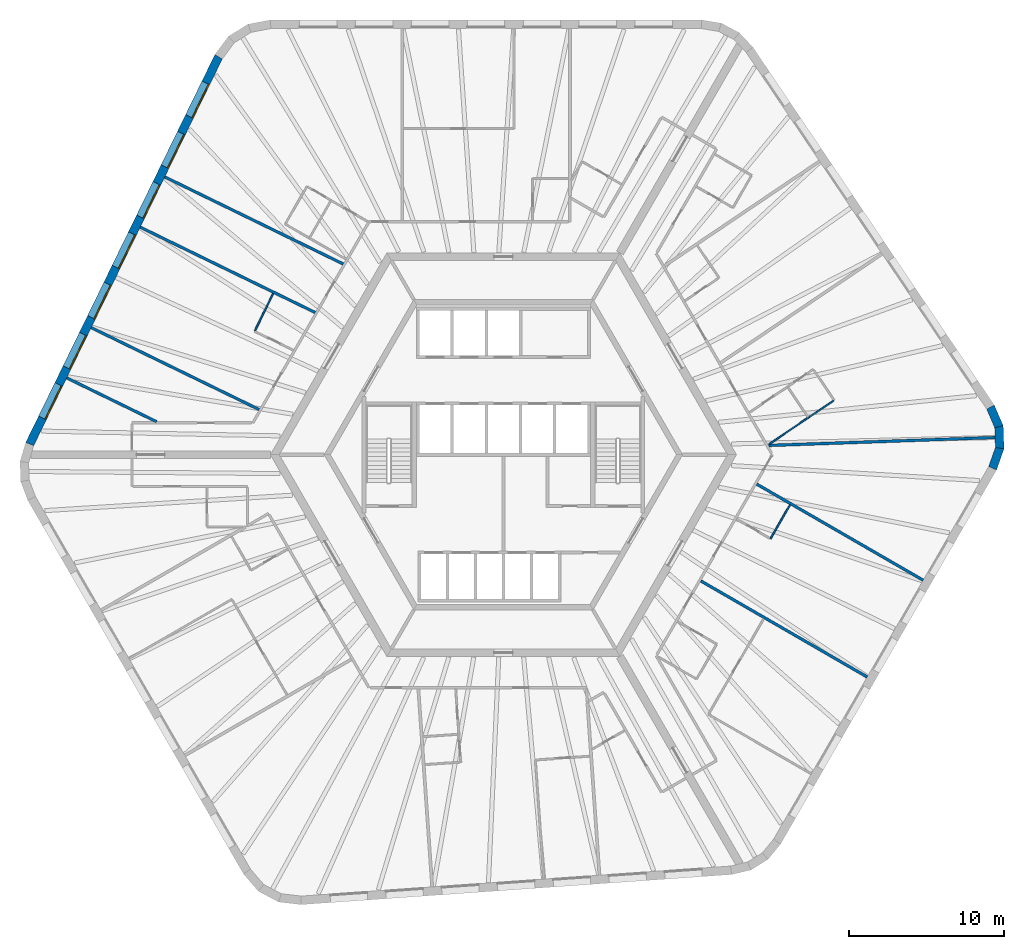
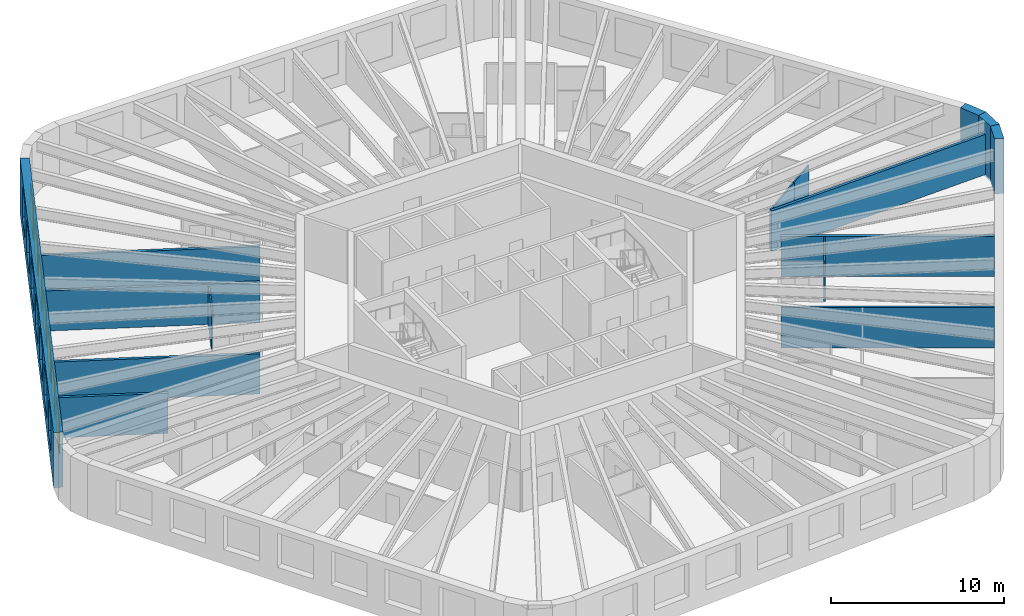
# One storey, part 6 of 10: 15 walls, 7 windows, 7 openings.
"""IFC4 building model written with IfcOpenShell, lengths in metres."""

from ifc_helpers import new_model, si_unit, direction, frame, frame_2d, origin, place, context, subcontext, project, spatial, polyline, rectangle, outline, extrude, material, layer, layer_set, type_object, element, fill, save


model = new_model("IFC4")

# Units and contexts
model_context = context("Model", 3, precision=1e-05, world=origin(), true_north=direction((0.0, 1.0)))
body_context = subcontext(model_context, "Body", "Model", "MODEL_VIEW")
ifc_project = project(units=[si_unit("LENGTHUNIT", "METRE"), si_unit("AREAUNIT", "SQUARE_METRE"), si_unit("VOLUMEUNIT", "CUBIC_METRE"), si_unit("PLANEANGLEUNIT", "RADIAN"), si_unit("MASSUNIT", "GRAM", prefix="KILO")], contexts=[model_context])

# Site, building, storey
site_placement = place(None, origin())
site = spatial("IfcSite", under=ifc_project, at=site_placement, CompositionType="ELEMENT")
building_placement = place(site_placement, origin())
building = spatial("IfcBuilding", under=site, at=building_placement, Name="Tarnside Tower", CompositionType="ELEMENT")
storey_placement = place(building_placement, frame((0.0, 0.0, 242.39990234375)))
storey = spatial("IfcBuildingStorey", under=building, at=storey_placement, Name="L58", CompositionType="ELEMENT", Elevation=242.39990234375)

# Walls
ifc_material_1 = material(Name="Gypsum board partition on steel studs", Category="steel")
ifc_layer_1 = layer(ifc_material_1, 0.10009765625)
ifc_layer_set_1 = layer_set([ifc_layer_1], Name="Bathroom wall 100")
wall_type_1 = type_object("IfcWallType", Name="Bathroom wall 100", PredefinedType="PARTITIONING", material=ifc_layer_set_1)
wall_1_placement = place(storey_placement, frame((-16.000732421875, 7.990966796875, 0.0), z_axis=(0.0, 0.0, 1.0), x_axis=(0.438344066549, 0.89880725371, 0.0)))
element("IfcWall", 1, at=wall_1_placement, inside=storey, type_object=wall_type_1, Name="Bathroom wall 19072", PredefinedType="PARTITIONING", context=body_context, shape_type="SweptSolid", body=[
    extrude(rectangle(XDim=2.66015625, YDim=0.10009765625, at=frame_2d((1.330078125, 0.0))), origin(), (0.0, 0.0, 1.0), 2.837890625),
])
wall_2_placement = place(storey_placement, frame((18.4560546875, -3.2333984375, 0.0), z_axis=(0.0, 0.0, 1.0), x_axis=(-0.500062048339, -0.865989577195, 0.0)))
element("IfcWall", 2, at=wall_2_placement, inside=storey, type_object=wall_type_1, Name="Bathroom wall 19105", PredefinedType="PARTITIONING", context=body_context, shape_type="SweptSolid", body=[
    extrude(rectangle(XDim=2.510009765625, YDim=0.10009765625, at=frame_2d((1.2548828125, 0.0))), origin(), (0.0, 0.0, 1.0), 2.837890625),
])
wall_3_placement = place(storey_placement, frame((19.6416015625, 2.389404296875, 0.0), z_axis=(0.0, 0.0, 1.0), x_axis=(-0.82902628405, -0.559209639004, 0.0)))
element("IfcWall", 3, at=wall_3_placement, inside=storey, type_object=wall_type_1, Name="Bathroom wall 19111", PredefinedType="PARTITIONING", context=body_context, shape_type="SweptSolid", body=[
    extrude(rectangle(XDim=3.04296875, YDim=0.10009765625, at=frame_2d((1.521484375, 0.0))), origin(), (0.0, 0.0, 1.0), 2.837890625),
])
ifc_layer_2 = layer(ifc_material_1, 0.179931640625)
ifc_layer_set_2 = layer_set([ifc_layer_2], Name="Demising wall 180 EI 60")
wall_type_2 = type_object("IfcWallType", Name="Demising wall 180 EI 60", PredefinedType="PARTITIONING", material=ifc_layer_set_2)
wall_4_placement = place(storey_placement, frame((-21.814697265625, 17.8916015625, 0.0), z_axis=(0.0, 0.0, 1.0), x_axis=(0.898799253997, -0.438360469265, 0.0)))
element("IfcWall", 4, at=wall_4_placement, inside=storey, type_object=wall_type_2, Name="Demising wall 19067", PredefinedType="PARTITIONING", context=body_context, shape_type="SweptSolid", body=[
    extrude(rectangle(XDim=12.7939453125, YDim=0.179931640625, at=frame_2d((6.39697265625, 0.0))), origin(), (0.0, 0.0, 1.0), 2.837890625),
])
wall_5_placement = place(storey_placement, frame((-23.392822265625, 14.656005859375, 0.0), z_axis=(0.0, 0.0, 1.0), x_axis=(0.898790706576, -0.43837799417, 0.0)))
element("IfcWall", 5, at=wall_5_placement, inside=storey, type_object=wall_type_2, Name="Demising wall 19069", PredefinedType="PARTITIONING", context=body_context, shape_type="SweptSolid", body=[
    extrude(rectangle(XDim=12.542236328125, YDim=0.179931640625, at=frame_2d((6.27099609375, 0.0))), origin(), (0.0, 0.0, 1.0), 2.837890625),
])
wall_6_placement = place(storey_placement, frame((-26.549072265625, 8.1845703125, 0.0), z_axis=(0.0, 0.0, 1.0), x_axis=(0.8987965099, -0.438366095623, 0.0)))
element("IfcWall", 6, at=wall_6_placement, inside=storey, type_object=wall_type_2, Name="Demising wall 19073", PredefinedType="PARTITIONING", context=body_context, shape_type="SweptSolid", body=[
    extrude(rectangle(XDim=12.03857421875, YDim=0.179931640625, at=frame_2d((6.019287109375, 0.0))), origin(), (0.0, 0.0, 1.0), 2.837890625),
])
wall_7_placement = place(storey_placement, frame((-28.127197265625, 4.948974609375, 0.0), z_axis=(0.0, 0.0, 1.0), x_axis=(0.898795032868, -0.438369124017, 0.0)))
element("IfcWall", 7, at=wall_7_placement, inside=storey, type_object=wall_type_2, Name="Demising wall 19074", PredefinedType="PARTITIONING", context=body_context, shape_type="SweptSolid", body=[
    extrude(rectangle(XDim=6.44189453125, YDim=0.179931640625, at=frame_2d((3.220947265625, 0.0))), origin(), (0.0, 0.0, 1.0), 2.837890625),
])
for number, where, z_axis, x_axis, name in (
    (8, (23.431396484375, -14.315673828125, 0.0), (0.0, 0.0, 1.0), (-0.866024931941, 0.500000817256, 0.0), "Demising wall 19103"),
    (9, (27.03125, -8.080322265625, 0.0), (0.0, 0.0, 1.0), (-0.866024931941, 0.500000817256, 0.0), "Demising wall 19107"),
):
    element("IfcWall", number, at=place(storey_placement, frame(where, z_axis=z_axis, x_axis=x_axis)), inside=storey, type_object=wall_type_2, Name=name, PredefinedType="PARTITIONING", context=body_context, shape_type="SweptSolid", body=[
        extrude(rectangle(XDim=12.375, YDim=0.179931640625, at=frame_2d((6.1875, 0.0))), origin(), (0.0, 0.0, 1.0), 2.837890625),
    ])
wall_8_placement = place(storey_placement, frame((31.66650390625, 1.105712890625, 0.0), z_axis=(0.0, 0.0, 1.0), x_axis=(-0.999391305206, -0.034885800543, 0.0)))
element("IfcWall", 10, at=wall_8_placement, inside=storey, type_object=wall_type_2, Name="Demising wall 19109", PredefinedType="PARTITIONING", context=body_context, shape_type="SweptSolid", body=[
    extrude(rectangle(XDim=14.6123046875, YDim=0.179931640625, at=frame_2d((7.30615234375, 0.0))), origin(), (0.0, 0.0, 1.0), 2.837890625),
])
ifc_layer_3 = layer(ifc_material_1, 0.10009765625)
ifc_layer_set_3 = layer_set([ifc_layer_3], Name="Partition 100")
wall_type_3 = type_object("IfcWallType", Name="Partition 100", PredefinedType="PARTITIONING", material=ifc_layer_set_3)
wall_9_placement = place(storey_placement, frame((21.25830078125, 3.47998046875, 0.0), z_axis=(0.0, 0.0, 1.0), x_axis=(-0.82903334026, -0.559199178055, 0.0)))
element("IfcWall", 11, at=wall_9_placement, inside=storey, type_object=wall_type_3, Name="Partition wall 19114", PredefinedType="PARTITIONING", context=body_context, shape_type="SweptSolid", body=[
    extrude(rectangle(XDim=1.900146484375, YDim=0.10009765625, at=frame_2d((0.9501953125, 0.0))), origin(), (0.0, 0.0, 1.0), 2.837890625),
])

# Wall, openings, windows
ifc_material_2 = material(Name="Facing brick", Category="masonry")
ifc_layer_4 = layer(ifc_material_2, 0.10205078125)
ifc_material_3 = material(Name="Concrete C60/75 precast", Category="concrete")
ifc_layer_5 = layer(ifc_material_3, 0.347900390625)
ifc_material_4 = material(Name="Mineral wool insulation")
ifc_layer_6 = layer(ifc_material_4, 0.10009765625)
ifc_layer_set_4 = layer_set([ifc_layer_4, ifc_layer_5, ifc_layer_6], Name="Tube wall 550 brick faced")
wall_type_4 = type_object("IfcWallType", Name="Tube wall 550 brick faced", PredefinedType="SOLIDWALL", material=ifc_layer_set_4)
wall_10_placement = place(storey_placement, frame((-18.344970703125, 25.6328125, -0.14990234375), z_axis=(0.0, 0.0, 1.0), x_axis=(-0.43837181828, -0.898793718791, 0.0)))
wall_10 = element("IfcWall", 12, at=wall_10_placement, inside=storey, type_object=wall_type_4, Name="Tube wall L58 F2 flush 04", PredefinedType="SOLIDWALL", context=body_context, shape_type="SweptSolid", body=[
    extrude(outline(polyline([(-0.025634765625, -0.27490234375), (27.7802734375, -0.27490234375), (27.7353515625, 0.27490234375), (0.025634765625, 0.27490234375), (-0.025634765625, -0.27490234375)])), origin(), (0.0, 0.0, 1.0), 3.89990234375),
])
opening_1_placement = place(wall_10_placement, frame((1.87890625, 0.0, 1.050048828125)))
opening_1 = element("IfcOpeningElement", 13, at=opening_1_placement, cuts=wall_10, Name="Opening WH", PredefinedType="OPENING", context=body_context, shape_type="SweptSolid", body=[
    extrude(rectangle(XDim=2.39990234375, YDim=2.39990234375, at=frame_2d((1.199951171875, 1.199951171875))), frame((0.0, 0.28515625, 0.0), z_axis=(0.0, -1.0, 0.0), x_axis=(1.0, 0.0, 0.0)), (0.0, 0.0, 1.0), 0.570068359375),
])
opening_2_placement = place(wall_10_placement, frame((5.47900390625, 0.0, 1.050048828125)))
opening_2 = element("IfcOpeningElement", 14, at=opening_2_placement, cuts=wall_10, Name="Opening WH", PredefinedType="OPENING", context=body_context, shape_type="SweptSolid", body=[
    extrude(rectangle(XDim=2.39990234375, YDim=2.39990234375, at=frame_2d((1.199951171875, 1.199951171875))), frame((0.0, 0.28515625, 0.0), z_axis=(0.0, -1.0, 0.0), x_axis=(1.0, 0.0, 0.0)), (0.0, 0.0, 1.0), 0.570068359375),
])
opening_3_placement = place(wall_10_placement, frame((9.078857421875, 0.0, 1.050048828125)))
opening_3 = element("IfcOpeningElement", 15, at=opening_3_placement, cuts=wall_10, Name="Opening WH", PredefinedType="OPENING", context=body_context, shape_type="SweptSolid", body=[
    extrude(rectangle(XDim=2.39990234375, YDim=2.39990234375, at=frame_2d((1.199951171875, 1.199951171875))), frame((0.0, 0.28515625, 0.0), z_axis=(0.0, -1.0, 0.0), x_axis=(1.0, 0.0, 0.0)), (0.0, 0.0, 1.0), 0.570068359375),
])
opening_4_placement = place(wall_10_placement, frame((12.678955078125, 0.0, 1.050048828125)))
opening_4 = element("IfcOpeningElement", 16, at=opening_4_placement, cuts=wall_10, Name="Opening WH", PredefinedType="OPENING", context=body_context, shape_type="SweptSolid", body=[
    extrude(rectangle(XDim=2.39990234375, YDim=2.39990234375, at=frame_2d((1.199951171875, 1.199951171875))), frame((0.0, 0.28515625, 0.0), z_axis=(0.0, -1.0, 0.0), x_axis=(1.0, 0.0, 0.0)), (0.0, 0.0, 1.0), 0.570068359375),
])
opening_5_placement = place(wall_10_placement, frame((16.27880859375, 0.0, 1.050048828125)))
opening_5 = element("IfcOpeningElement", 17, at=opening_5_placement, cuts=wall_10, Name="Opening WH", PredefinedType="OPENING", context=body_context, shape_type="SweptSolid", body=[
    extrude(rectangle(XDim=2.39990234375, YDim=2.39990234375, at=frame_2d((1.199951171875, 1.199951171875))), frame((0.0, 0.28515625, 0.0), z_axis=(0.0, -1.0, 0.0), x_axis=(1.0, 0.0, 0.0)), (0.0, 0.0, 1.0), 0.570068359375),
])
opening_6_placement = place(wall_10_placement, frame((19.87890625, 0.0, 1.050048828125)))
opening_6 = element("IfcOpeningElement", 18, at=opening_6_placement, cuts=wall_10, Name="Opening WH", PredefinedType="OPENING", context=body_context, shape_type="SweptSolid", body=[
    extrude(rectangle(XDim=2.39990234375, YDim=2.39990234375, at=frame_2d((1.199951171875, 1.199951171875))), frame((0.0, 0.28515625, 0.0), z_axis=(0.0, -1.0, 0.0), x_axis=(1.0, 0.0, 0.0)), (0.0, 0.0, 1.0), 0.570068359375),
])
opening_7_placement = place(wall_10_placement, frame((23.47900390625, 0.0, 1.050048828125)))
opening_7 = element("IfcOpeningElement", 19, at=opening_7_placement, cuts=wall_10, Name="Opening WH", PredefinedType="OPENING", context=body_context, shape_type="SweptSolid", body=[
    extrude(rectangle(XDim=2.39990234375, YDim=2.39990234375, at=frame_2d((1.199951171875, 1.199951171875))), frame((0.0, 0.28515625, 0.0), z_axis=(0.0, -1.0, 0.0), x_axis=(1.0, 0.0, 0.0)), (0.0, 0.0, 1.0), 0.570068359375),
])
ifc_material_5 = material(Name="Aluminium-framed double glazing", Category="aluminium")
window_type = type_object("IfcWindowType", Name="Hotel window 2400 x 2400", PartitioningType="DOUBLE_PANEL_VERTICAL", PredefinedType="WINDOW", material=ifc_material_5)
window_1_placement = place(opening_1_placement, frame((0.0, 0.205078125, 0.0)))
window_1 = element("IfcWindow", 20, at=window_1_placement, inside=storey, type_object=window_type, Name="E.WN.L58.F2.00", OverallHeight=2.39990234375, OverallWidth=2.39990234375, PartitioningType="DOUBLE_PANEL_VERTICAL", PredefinedType="WINDOW", context=body_context, shape_type="SweptSolid", body=[
    extrude(rectangle(XDim=2.39990234375, YDim=2.39990234375, at=frame_2d((1.199951171875, 1.199951171875))), frame((0.0, 0.030029296875, 0.0), z_axis=(0.0, -1.0, 0.0), x_axis=(1.0, 0.0, 0.0)), (0.0, 0.0, 1.0), 0.06005859375),
])
fill(opening_1, window_1)
window_2_placement = place(opening_2_placement, frame((0.0, 0.205078125, 0.0)))
window_2 = element("IfcWindow", 21, at=window_2_placement, inside=storey, type_object=window_type, Name="E.WN.L58.F2.01", OverallHeight=2.39990234375, OverallWidth=2.39990234375, PartitioningType="DOUBLE_PANEL_VERTICAL", PredefinedType="WINDOW", context=body_context, shape_type="SweptSolid", body=[
    extrude(rectangle(XDim=2.39990234375, YDim=2.39990234375, at=frame_2d((1.199951171875, 1.199951171875))), frame((0.0, 0.030029296875, 0.0), z_axis=(0.0, -1.0, 0.0), x_axis=(1.0, 0.0, 0.0)), (0.0, 0.0, 1.0), 0.06005859375),
])
fill(opening_2, window_2)
window_3_placement = place(opening_3_placement, frame((0.0, 0.205078125, 0.0)))
window_3 = element("IfcWindow", 22, at=window_3_placement, inside=storey, type_object=window_type, Name="E.WN.L58.F2.02", OverallHeight=2.39990234375, OverallWidth=2.39990234375, PartitioningType="DOUBLE_PANEL_VERTICAL", PredefinedType="WINDOW", context=body_context, shape_type="SweptSolid", body=[
    extrude(rectangle(XDim=2.39990234375, YDim=2.39990234375, at=frame_2d((1.199951171875, 1.199951171875))), frame((0.0, 0.030029296875, 0.0), z_axis=(0.0, -1.0, 0.0), x_axis=(1.0, 0.0, 0.0)), (0.0, 0.0, 1.0), 0.06005859375),
])
fill(opening_3, window_3)
window_4_placement = place(opening_4_placement, frame((0.0, 0.205078125, 0.0)))
window_4 = element("IfcWindow", 23, at=window_4_placement, inside=storey, type_object=window_type, Name="E.WN.L58.F2.03", OverallHeight=2.39990234375, OverallWidth=2.39990234375, PartitioningType="DOUBLE_PANEL_VERTICAL", PredefinedType="WINDOW", context=body_context, shape_type="SweptSolid", body=[
    extrude(rectangle(XDim=2.39990234375, YDim=2.39990234375, at=frame_2d((1.199951171875, 1.199951171875))), frame((0.0, 0.030029296875, 0.0), z_axis=(0.0, -1.0, 0.0), x_axis=(1.0, 0.0, 0.0)), (0.0, 0.0, 1.0), 0.06005859375),
])
fill(opening_4, window_4)
window_5_placement = place(opening_5_placement, frame((0.0, 0.205078125, 0.0)))
window_5 = element("IfcWindow", 24, at=window_5_placement, inside=storey, type_object=window_type, Name="E.WN.L58.F2.04", OverallHeight=2.39990234375, OverallWidth=2.39990234375, PartitioningType="DOUBLE_PANEL_VERTICAL", PredefinedType="WINDOW", context=body_context, shape_type="SweptSolid", body=[
    extrude(rectangle(XDim=2.39990234375, YDim=2.39990234375, at=frame_2d((1.199951171875, 1.199951171875))), frame((0.0, 0.030029296875, 0.0), z_axis=(0.0, -1.0, 0.0), x_axis=(1.0, 0.0, 0.0)), (0.0, 0.0, 1.0), 0.06005859375),
])
fill(opening_5, window_5)
window_6_placement = place(opening_6_placement, frame((0.0, 0.205078125, 0.0)))
window_6 = element("IfcWindow", 25, at=window_6_placement, inside=storey, type_object=window_type, Name="E.WN.L58.F2.05", OverallHeight=2.39990234375, OverallWidth=2.39990234375, PartitioningType="DOUBLE_PANEL_VERTICAL", PredefinedType="WINDOW", context=body_context, shape_type="SweptSolid", body=[
    extrude(rectangle(XDim=2.39990234375, YDim=2.39990234375, at=frame_2d((1.199951171875, 1.199951171875))), frame((0.0, 0.030029296875, 0.0), z_axis=(0.0, -1.0, 0.0), x_axis=(1.0, 0.0, 0.0)), (0.0, 0.0, 1.0), 0.06005859375),
])
fill(opening_6, window_6)
window_7_placement = place(opening_7_placement, frame((0.0, 0.205078125, 0.0)))
window_7 = element("IfcWindow", 26, at=window_7_placement, inside=storey, type_object=window_type, Name="E.WN.L58.F2.06", OverallHeight=2.39990234375, OverallWidth=2.39990234375, PartitioningType="DOUBLE_PANEL_VERTICAL", PredefinedType="WINDOW", context=body_context, shape_type="SweptSolid", body=[
    extrude(rectangle(XDim=2.39990234375, YDim=2.39990234375, at=frame_2d((1.199951171875, 1.199951171875))), frame((0.0, 0.030029296875, 0.0), z_axis=(0.0, -1.0, 0.0), x_axis=(1.0, 0.0, 0.0)), (0.0, 0.0, 1.0), 0.06005859375),
])
fill(opening_7, window_7)

# Walls
wall_11_placement = place(storey_placement, frame((31.509033203125, -0.874755859375, -0.14990234375), z_axis=(0.0, 0.0, 1.0), x_axis=(0.33111537203, 0.943590276765, 0.0)))
element("IfcWall", 27, at=wall_11_placement, inside=storey, type_object=wall_type_4, Name="Tube wall L58 F5 chord 17", PredefinedType="SOLIDWALL", context=body_context, shape_type="SweptSolid", body=[
    extrude(outline(polyline([(-0.025634765625, -0.27490234375), (1.4306640625, -0.27490234375), (1.3271484375, 0.27490234375), (0.025634765625, 0.27490234375), (-0.025634765625, -0.27490234375)])), origin(), (0.0, 0.0, 1.0), 3.89990234375),
])
wall_12_placement = place(storey_placement, frame((31.965576171875, 0.42626953125, -0.14990234375), z_axis=(0.0, 0.0, 1.0), x_axis=(-0.034876908462, 0.999391615562, 0.0)))
element("IfcWall", 28, at=wall_12_placement, inside=storey, type_object=wall_type_4, Name="Tube wall L58 F5 chord 18", PredefinedType="SOLIDWALL", context=body_context, shape_type="SweptSolid", body=[
    extrude(outline(polyline([(-0.0517578125, -0.27490234375), (1.4306640625, -0.27490234375), (1.3271484375, 0.27490234375), (0.0517578125, 0.27490234375), (-0.0517578125, -0.27490234375)])), origin(), (0.0, 0.0, 1.0), 3.89990234375),
])
wall_13_placement = place(storey_placement, frame((31.91748046875, 1.804443359375, -0.14990234375), z_axis=(0.0, 0.0, 1.0), x_axis=(-0.396225741392, 0.918153125496, 0.0)))
element("IfcWall", 29, at=wall_13_placement, inside=storey, type_object=wall_type_4, Name="Tube wall L58 F5 chord 19", PredefinedType="SOLIDWALL", context=body_context, shape_type="SweptSolid", body=[
    extrude(outline(polyline([(-0.0517578125, -0.27490234375), (1.404541015625, -0.27490234375), (1.353271484375, 0.27490234375), (0.0517578125, 0.27490234375), (-0.0517578125, -0.27490234375)])), origin(), (0.0, 0.0, 1.0), 3.89990234375),
])

save(model, "model.ifc")
